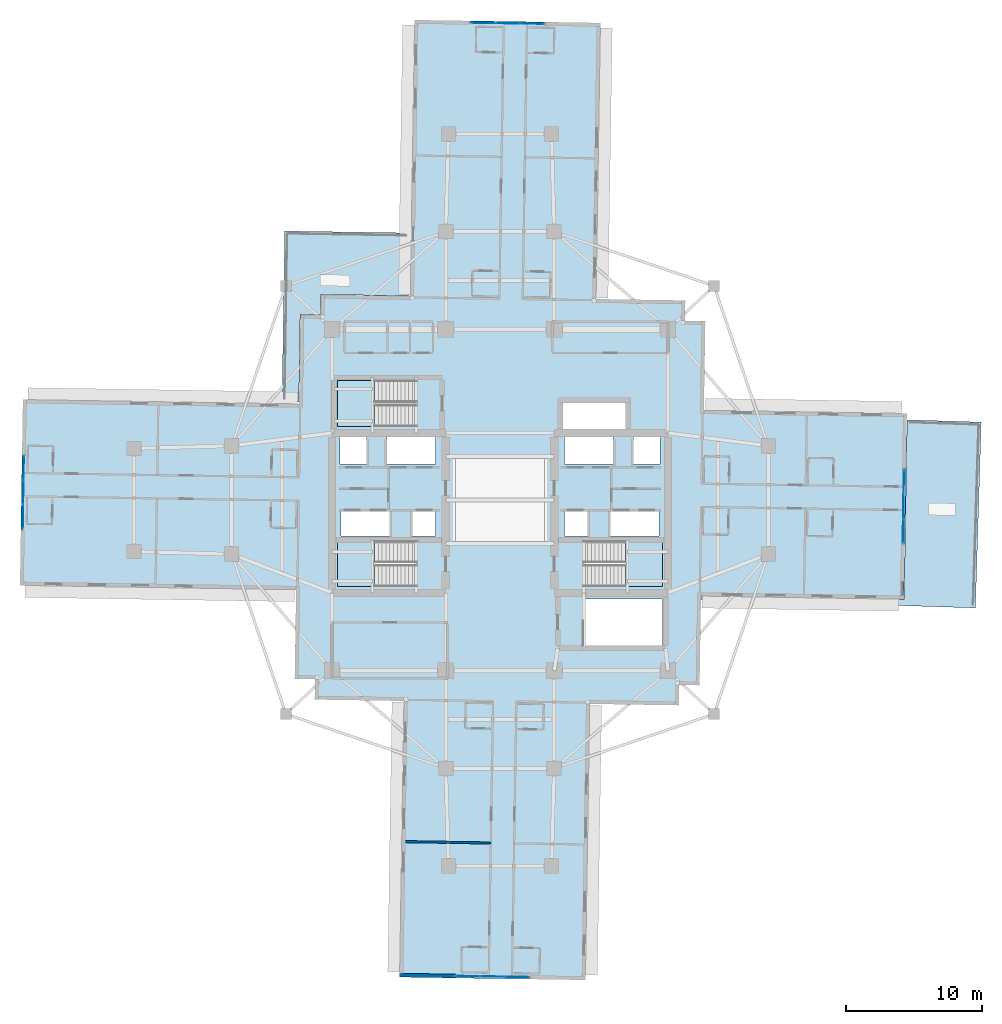
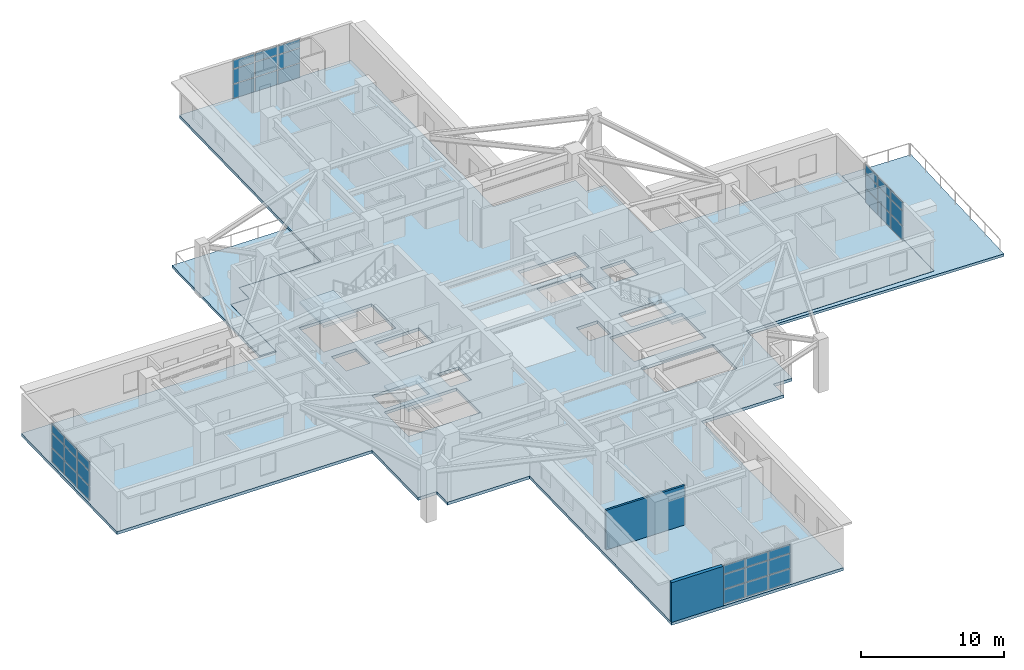
# One storey, part 10 of 22: 36 plates, 6 slabs, 2 walls, 7 elements without a shape of their own.
"""IFC4 building model written with IfcOpenShell, lengths in metres."""

from ifc_helpers import new_model, si_unit, direction, frame, frame_2d, origin, origin_2d, place, context, subcontext, project, spatial, polyline, rectangle, outline, extrude, material, layer, layer_set, type_object, element, aggregate, save


model = new_model("IFC4")

# Units and contexts
model_context = context("Model", 3, precision=1e-05, world=origin(), true_north=direction((0.0, 1.0)))
body_context = subcontext(model_context, "Body", "Model", "MODEL_VIEW")
ifc_project = project(units=[si_unit("LENGTHUNIT", "METRE"), si_unit("AREAUNIT", "SQUARE_METRE"), si_unit("VOLUMEUNIT", "CUBIC_METRE"), si_unit("PLANEANGLEUNIT", "RADIAN"), si_unit("MASSUNIT", "GRAM", prefix="KILO")], contexts=[model_context])

# Site, building, storey
site_placement = place(None, origin())
site = spatial("IfcSite", under=ifc_project, at=site_placement, CompositionType="ELEMENT")
building_placement = place(site_placement, origin())
building = spatial("IfcBuilding", under=site, at=building_placement, Name="Qingluan Cross Belvedere", CompositionType="ELEMENT")
storey_placement = place(building_placement, frame((0.0, 0.0, 100.199951171875)))
storey = spatial("IfcBuildingStorey", under=building, at=storey_placement, Name="L25", CompositionType="ELEMENT", Elevation=100.199951171875)

# Curtain wall, plates
ifc_material_1 = material(Name="Thermally broken aluminium and Low-E glass", Category="aluminium")
ifc_layer_1 = layer(ifc_material_1, 0.199951171875, Name="UnitisedCW_SkyLobbyLow")
ifc_layer_set_1 = layer_set([ifc_layer_1], Name="Thermally broken aluminium and Low-E glass")
curtain_wall_type = type_object("IfcCurtainWallType", Name="UnitisedCW_SkyLobbyLow", PredefinedType="USERDEFINED", material=ifc_layer_set_1)
curtain_wall_1_placement = place(storey_placement, origin())
curtain_wall_1 = element("IfcCurtainWall", 1, at=curtain_wall_1_placement, inside=storey, type_object=curtain_wall_type, Name="UnitisedCW_SkyLobbyLow run env:cw:L25:E", ObjectType="UNITISED CURTAIN WALL", PredefinedType="USERDEFINED")
ifc_material_2 = material(Name="Triple-silver Low-E insulated glass", Category="glass")
ifc_layer_2 = layer(ifc_material_2, 0.035888671875, Name="CWVisionPanel_36")
ifc_layer_set_2 = layer_set([ifc_layer_2], Name="Triple-silver Low-E insulated glass")
plate_type = type_object("IfcPlateType", Name="CWVisionPanel_36", PredefinedType="CURTAIN_PANEL", material=ifc_layer_set_2)
plate_1_placement = place(storey_placement, frame((29.747802734375, -2.28173828125, 0.06005859375), z_axis=(0.0, 0.0, 1.0), x_axis=(0.015688845697, 0.999876922486, 0.0)))
plate_1 = element("IfcPlate", 2, at=plate_1_placement, type_object=plate_type, Name="CW-S1 panel 1.1", PredefinedType="CURTAIN_PANEL", context=body_context, shape_type="SweptSolid", body=[
    extrude(rectangle(XDim=1.7392578125, YDim=0.028076171875, at=origin_2d()), origin(), (0.0, 0.0, 1.0), 1.194091796875),
])
plate_2_placement = place(storey_placement, frame((29.747802734375, -2.28173828125, 1.31396484375), z_axis=(0.0, 0.0, 1.0), x_axis=(0.015688845697, 0.999876922486, 0.0)))
plate_2 = element("IfcPlate", 3, at=plate_2_placement, type_object=plate_type, Name="CW-S1 panel 1.2", PredefinedType="CURTAIN_PANEL", context=body_context, shape_type="SweptSolid", body=[
    extrude(rectangle(XDim=1.7392578125, YDim=0.028076171875, at=origin_2d()), origin(), (0.0, 0.0, 1.0), 1.22509765625),
])
plate_3_placement = place(storey_placement, frame((29.747802734375, -2.28173828125, 2.59912109375), z_axis=(0.0, 0.0, 1.0), x_axis=(0.015688845697, 0.999876922486, 0.0)))
plate_3 = element("IfcPlate", 4, at=plate_3_placement, type_object=plate_type, Name="CW-S1 panel 1.3", PredefinedType="CURTAIN_PANEL", context=body_context, shape_type="SweptSolid", body=[
    extrude(rectangle(XDim=1.7392578125, YDim=0.028076171875, at=origin_2d()), origin(), (0.0, 0.0, 1.0), 0.720947265625),
])
plate_4_placement = place(storey_placement, frame((29.7763671875, -0.4677734375, 0.06005859375), z_axis=(0.0, 0.0, 1.0), x_axis=(0.015688845697, 0.999876922486, 0.0)))
plate_4 = element("IfcPlate", 5, at=plate_4_placement, type_object=plate_type, Name="CW-S1 panel 2.1", PredefinedType="CURTAIN_PANEL", context=body_context, shape_type="SweptSolid", body=[
    extrude(rectangle(XDim=1.769287109375, YDim=0.028076171875, at=origin_2d()), origin(), (0.0, 0.0, 1.0), 1.194091796875),
])
plate_5_placement = place(storey_placement, frame((29.7763671875, -0.4677734375, 1.31396484375), z_axis=(0.0, 0.0, 1.0), x_axis=(0.015688845697, 0.999876922486, 0.0)))
plate_5 = element("IfcPlate", 6, at=plate_5_placement, type_object=plate_type, Name="CW-S1 panel 2.2", PredefinedType="CURTAIN_PANEL", context=body_context, shape_type="SweptSolid", body=[
    extrude(rectangle(XDim=1.769287109375, YDim=0.028076171875, at=origin_2d()), origin(), (0.0, 0.0, 1.0), 1.22509765625),
])
plate_6_placement = place(storey_placement, frame((29.7763671875, -0.4677734375, 2.59912109375), z_axis=(0.0, 0.0, 1.0), x_axis=(0.015688845697, 0.999876922486, 0.0)))
plate_6 = element("IfcPlate", 7, at=plate_6_placement, type_object=plate_type, Name="CW-S1 panel 2.3", PredefinedType="CURTAIN_PANEL", context=body_context, shape_type="SweptSolid", body=[
    extrude(rectangle(XDim=1.769287109375, YDim=0.028076171875, at=origin_2d()), origin(), (0.0, 0.0, 1.0), 0.720947265625),
])
plate_7_placement = place(storey_placement, frame((29.804931640625, 1.346435546875, 0.06005859375), z_axis=(0.0, 0.0, 1.0), x_axis=(0.015688845697, 0.999876922486, 0.0)))
plate_7 = element("IfcPlate", 8, at=plate_7_placement, type_object=plate_type, Name="CW-S1 panel 3.1", PredefinedType="CURTAIN_PANEL", context=body_context, shape_type="SweptSolid", body=[
    extrude(rectangle(XDim=1.7392578125, YDim=0.028076171875, at=origin_2d()), origin(), (0.0, 0.0, 1.0), 1.194091796875),
])
plate_8_placement = place(storey_placement, frame((29.804931640625, 1.346435546875, 1.31396484375), z_axis=(0.0, 0.0, 1.0), x_axis=(0.015688845697, 0.999876922486, 0.0)))
plate_8 = element("IfcPlate", 9, at=plate_8_placement, type_object=plate_type, Name="CW-S1 panel 3.2", PredefinedType="CURTAIN_PANEL", context=body_context, shape_type="SweptSolid", body=[
    extrude(rectangle(XDim=1.7392578125, YDim=0.028076171875, at=origin_2d()), origin(), (0.0, 0.0, 1.0), 1.22509765625),
])
plate_9_placement = place(storey_placement, frame((29.804931640625, 1.346435546875, 2.59912109375), z_axis=(0.0, 0.0, 1.0), x_axis=(0.015688845697, 0.999876922486, 0.0)))
plate_9 = element("IfcPlate", 10, at=plate_9_placement, type_object=plate_type, Name="CW-S1 panel 3.3", PredefinedType="CURTAIN_PANEL", context=body_context, shape_type="SweptSolid", body=[
    extrude(rectangle(XDim=1.7392578125, YDim=0.028076171875, at=origin_2d()), origin(), (0.0, 0.0, 1.0), 0.720947265625),
])
aggregate(curtain_wall_1, [plate_1, plate_2, plate_3, plate_4, plate_5, plate_6, plate_7, plate_8, plate_9])

curtain_wall_2_placement = place(storey_placement, origin())
curtain_wall_2 = element("IfcCurtainWall", 11, at=curtain_wall_2_placement, inside=storey, type_object=curtain_wall_type, Name="UnitisedCW_SkyLobbyLow run env:cw:L25:N", ObjectType="UNITISED CURTAIN WALL", PredefinedType="USERDEFINED")
plate_10_placement = place(storey_placement, frame((2.36669921875, 35.147216796875, 0.06005859375), z_axis=(0.0, 0.0, 1.0), x_axis=(-0.999876636479, 0.015707062874, 0.0)))
plate_10 = element("IfcPlate", 12, at=plate_10_placement, type_object=plate_type, Name="CW-S1 panel 1.1", PredefinedType="CURTAIN_PANEL", context=body_context, shape_type="SweptSolid", body=[
    extrude(rectangle(XDim=1.7392578125, YDim=0.028076171875, at=origin_2d()), origin(), (0.0, 0.0, 1.0), 1.194091796875),
])
plate_11_placement = place(storey_placement, frame((2.36669921875, 35.147216796875, 1.31396484375), z_axis=(0.0, 0.0, 1.0), x_axis=(-0.999876636479, 0.015707062874, 0.0)))
plate_11 = element("IfcPlate", 13, at=plate_11_placement, type_object=plate_type, Name="CW-S1 panel 1.2", PredefinedType="CURTAIN_PANEL", context=body_context, shape_type="SweptSolid", body=[
    extrude(rectangle(XDim=1.7392578125, YDim=0.028076171875, at=origin_2d()), origin(), (0.0, 0.0, 1.0), 1.22509765625),
])
plate_12_placement = place(storey_placement, frame((2.36669921875, 35.147216796875, 2.59912109375), z_axis=(0.0, 0.0, 1.0), x_axis=(-0.999876636479, 0.015707062874, 0.0)))
plate_12 = element("IfcPlate", 14, at=plate_12_placement, type_object=plate_type, Name="CW-S1 panel 1.3", PredefinedType="CURTAIN_PANEL", context=body_context, shape_type="SweptSolid", body=[
    extrude(rectangle(XDim=1.7392578125, YDim=0.028076171875, at=origin_2d()), origin(), (0.0, 0.0, 1.0), 0.720947265625),
])
plate_13_placement = place(storey_placement, frame((0.552490234375, 35.17578125, 0.06005859375), z_axis=(0.0, 0.0, 1.0), x_axis=(-0.999876636479, 0.015707062874, 0.0)))
plate_13 = element("IfcPlate", 15, at=plate_13_placement, type_object=plate_type, Name="CW-S1 panel 2.1", PredefinedType="CURTAIN_PANEL", context=body_context, shape_type="SweptSolid", body=[
    extrude(rectangle(XDim=1.769287109375, YDim=0.028076171875, at=origin_2d()), origin(), (0.0, 0.0, 1.0), 1.194091796875),
])
plate_14_placement = place(storey_placement, frame((0.552490234375, 35.17578125, 1.31396484375), z_axis=(0.0, 0.0, 1.0), x_axis=(-0.999876636479, 0.015707062874, 0.0)))
plate_14 = element("IfcPlate", 16, at=plate_14_placement, type_object=plate_type, Name="CW-S1 panel 2.2", PredefinedType="CURTAIN_PANEL", context=body_context, shape_type="SweptSolid", body=[
    extrude(rectangle(XDim=1.769287109375, YDim=0.028076171875, at=origin_2d()), origin(), (0.0, 0.0, 1.0), 1.22509765625),
])
plate_15_placement = place(storey_placement, frame((0.552490234375, 35.17578125, 2.59912109375), z_axis=(0.0, 0.0, 1.0), x_axis=(-0.999876636479, 0.015707062874, 0.0)))
plate_15 = element("IfcPlate", 17, at=plate_15_placement, type_object=plate_type, Name="CW-S1 panel 2.3", PredefinedType="CURTAIN_PANEL", context=body_context, shape_type="SweptSolid", body=[
    extrude(rectangle(XDim=1.769287109375, YDim=0.028076171875, at=origin_2d()), origin(), (0.0, 0.0, 1.0), 0.720947265625),
])
plate_16_placement = place(storey_placement, frame((-1.261474609375, 35.2041015625, 0.06005859375), z_axis=(0.0, 0.0, 1.0), x_axis=(-0.999876636479, 0.015707062874, 0.0)))
plate_16 = element("IfcPlate", 18, at=plate_16_placement, type_object=plate_type, Name="CW-S1 panel 3.1", PredefinedType="CURTAIN_PANEL", context=body_context, shape_type="SweptSolid", body=[
    extrude(rectangle(XDim=1.7392578125, YDim=0.028076171875, at=origin_2d()), origin(), (0.0, 0.0, 1.0), 1.194091796875),
])
plate_17_placement = place(storey_placement, frame((-1.261474609375, 35.2041015625, 1.31396484375), z_axis=(0.0, 0.0, 1.0), x_axis=(-0.999876636479, 0.015707062874, 0.0)))
plate_17 = element("IfcPlate", 19, at=plate_17_placement, type_object=plate_type, Name="CW-S1 panel 3.2", PredefinedType="CURTAIN_PANEL", context=body_context, shape_type="SweptSolid", body=[
    extrude(rectangle(XDim=1.7392578125, YDim=0.028076171875, at=origin_2d()), origin(), (0.0, 0.0, 1.0), 1.22509765625),
])
plate_18_placement = place(storey_placement, frame((-1.261474609375, 35.2041015625, 2.59912109375), z_axis=(0.0, 0.0, 1.0), x_axis=(-0.999876636479, 0.015707062874, 0.0)))
plate_18 = element("IfcPlate", 20, at=plate_18_placement, type_object=plate_type, Name="CW-S1 panel 3.3", PredefinedType="CURTAIN_PANEL", context=body_context, shape_type="SweptSolid", body=[
    extrude(rectangle(XDim=1.7392578125, YDim=0.028076171875, at=origin_2d()), origin(), (0.0, 0.0, 1.0), 0.720947265625),
])
aggregate(curtain_wall_2, [plate_10, plate_11, plate_12, plate_13, plate_14, plate_15, plate_16, plate_17, plate_18])

curtain_wall_3_placement = place(storey_placement, origin())
curtain_wall_3 = element("IfcCurtainWall", 21, at=curtain_wall_3_placement, inside=storey, type_object=curtain_wall_type, Name="UnitisedCW_SkyLobbyLow run env:cw:L25:W", ObjectType="UNITISED CURTAIN WALL", PredefinedType="USERDEFINED")
plate_19_placement = place(storey_placement, frame((-35.147216796875, 2.36669921875, 0.06005859375), z_axis=(0.0, 0.0, 1.0), x_axis=(-0.015707062874, -0.999876636479, 0.0)))
plate_19 = element("IfcPlate", 22, at=plate_19_placement, type_object=plate_type, Name="CW-S1 panel 1.1", PredefinedType="CURTAIN_PANEL", context=body_context, shape_type="SweptSolid", body=[
    extrude(rectangle(XDim=1.7392578125, YDim=0.028076171875, at=origin_2d()), origin(), (0.0, 0.0, 1.0), 1.194091796875),
])
plate_20_placement = place(storey_placement, frame((-35.147216796875, 2.36669921875, 1.31396484375), z_axis=(0.0, 0.0, 1.0), x_axis=(-0.015707062874, -0.999876636479, 0.0)))
plate_20 = element("IfcPlate", 23, at=plate_20_placement, type_object=plate_type, Name="CW-S1 panel 1.2", PredefinedType="CURTAIN_PANEL", context=body_context, shape_type="SweptSolid", body=[
    extrude(rectangle(XDim=1.7392578125, YDim=0.028076171875, at=origin_2d()), origin(), (0.0, 0.0, 1.0), 1.22509765625),
])
plate_21_placement = place(storey_placement, frame((-35.147216796875, 2.36669921875, 2.59912109375), z_axis=(0.0, 0.0, 1.0), x_axis=(-0.015707062874, -0.999876636479, 0.0)))
plate_21 = element("IfcPlate", 24, at=plate_21_placement, type_object=plate_type, Name="CW-S1 panel 1.3", PredefinedType="CURTAIN_PANEL", context=body_context, shape_type="SweptSolid", body=[
    extrude(rectangle(XDim=1.7392578125, YDim=0.028076171875, at=origin_2d()), origin(), (0.0, 0.0, 1.0), 0.720947265625),
])
plate_22_placement = place(storey_placement, frame((-35.17578125, 0.552490234375, 0.06005859375), z_axis=(0.0, 0.0, 1.0), x_axis=(-0.015707062874, -0.999876636479, 0.0)))
plate_22 = element("IfcPlate", 25, at=plate_22_placement, type_object=plate_type, Name="CW-S1 panel 2.1", PredefinedType="CURTAIN_PANEL", context=body_context, shape_type="SweptSolid", body=[
    extrude(rectangle(XDim=1.769287109375, YDim=0.028076171875, at=origin_2d()), origin(), (0.0, 0.0, 1.0), 1.194091796875),
])
plate_23_placement = place(storey_placement, frame((-35.17578125, 0.552490234375, 1.31396484375), z_axis=(0.0, 0.0, 1.0), x_axis=(-0.015707062874, -0.999876636479, 0.0)))
plate_23 = element("IfcPlate", 26, at=plate_23_placement, type_object=plate_type, Name="CW-S1 panel 2.2", PredefinedType="CURTAIN_PANEL", context=body_context, shape_type="SweptSolid", body=[
    extrude(rectangle(XDim=1.769287109375, YDim=0.028076171875, at=origin_2d()), origin(), (0.0, 0.0, 1.0), 1.22509765625),
])
plate_24_placement = place(storey_placement, frame((-35.17578125, 0.552490234375, 2.59912109375), z_axis=(0.0, 0.0, 1.0), x_axis=(-0.015707062874, -0.999876636479, 0.0)))
plate_24 = element("IfcPlate", 27, at=plate_24_placement, type_object=plate_type, Name="CW-S1 panel 2.3", PredefinedType="CURTAIN_PANEL", context=body_context, shape_type="SweptSolid", body=[
    extrude(rectangle(XDim=1.769287109375, YDim=0.028076171875, at=origin_2d()), origin(), (0.0, 0.0, 1.0), 0.720947265625),
])
plate_25_placement = place(storey_placement, frame((-35.2041015625, -1.261474609375, 0.06005859375), z_axis=(0.0, 0.0, 1.0), x_axis=(-0.015707062874, -0.999876636479, 0.0)))
plate_25 = element("IfcPlate", 28, at=plate_25_placement, type_object=plate_type, Name="CW-S1 panel 3.1", PredefinedType="CURTAIN_PANEL", context=body_context, shape_type="SweptSolid", body=[
    extrude(rectangle(XDim=1.7392578125, YDim=0.028076171875, at=origin_2d()), origin(), (0.0, 0.0, 1.0), 1.194091796875),
])
plate_26_placement = place(storey_placement, frame((-35.2041015625, -1.261474609375, 1.31396484375), z_axis=(0.0, 0.0, 1.0), x_axis=(-0.015707062874, -0.999876636479, 0.0)))
plate_26 = element("IfcPlate", 29, at=plate_26_placement, type_object=plate_type, Name="CW-S1 panel 3.2", PredefinedType="CURTAIN_PANEL", context=body_context, shape_type="SweptSolid", body=[
    extrude(rectangle(XDim=1.7392578125, YDim=0.028076171875, at=origin_2d()), origin(), (0.0, 0.0, 1.0), 1.22509765625),
])
plate_27_placement = place(storey_placement, frame((-35.2041015625, -1.261474609375, 2.59912109375), z_axis=(0.0, 0.0, 1.0), x_axis=(-0.015707062874, -0.999876636479, 0.0)))
plate_27 = element("IfcPlate", 30, at=plate_27_placement, type_object=plate_type, Name="CW-S1 panel 3.3", PredefinedType="CURTAIN_PANEL", context=body_context, shape_type="SweptSolid", body=[
    extrude(rectangle(XDim=1.7392578125, YDim=0.028076171875, at=origin_2d()), origin(), (0.0, 0.0, 1.0), 0.720947265625),
])
aggregate(curtain_wall_3, [plate_19, plate_20, plate_21, plate_22, plate_23, plate_24, plate_25, plate_26, plate_27])

curtain_wall_4_placement = place(storey_placement, origin())
curtain_wall_4 = element("IfcCurtainWall", 31, at=curtain_wall_4_placement, inside=storey, type_object=curtain_wall_type, Name="UnitisedCW_SkyLobbyLow run env:cw:L25:S", ObjectType="UNITISED CURTAIN WALL", PredefinedType="USERDEFINED")
plate_28_placement = place(storey_placement, frame((-2.36669921875, -35.147216796875, 0.06005859375), z_axis=(0.0, 0.0, 1.0), x_axis=(0.999876636479, -0.015707062874, 0.0)))
plate_28 = element("IfcPlate", 32, at=plate_28_placement, type_object=plate_type, Name="CW-S1 panel 1.1", PredefinedType="CURTAIN_PANEL", context=body_context, shape_type="SweptSolid", body=[
    extrude(rectangle(XDim=1.7392578125, YDim=0.028076171875, at=origin_2d()), origin(), (0.0, 0.0, 1.0), 1.194091796875),
])
plate_29_placement = place(storey_placement, frame((-2.36669921875, -35.147216796875, 1.31396484375), z_axis=(0.0, 0.0, 1.0), x_axis=(0.999876636479, -0.015707062874, 0.0)))
plate_29 = element("IfcPlate", 33, at=plate_29_placement, type_object=plate_type, Name="CW-S1 panel 1.2", PredefinedType="CURTAIN_PANEL", context=body_context, shape_type="SweptSolid", body=[
    extrude(rectangle(XDim=1.7392578125, YDim=0.028076171875, at=origin_2d()), origin(), (0.0, 0.0, 1.0), 1.22509765625),
])
plate_30_placement = place(storey_placement, frame((-2.36669921875, -35.147216796875, 2.59912109375), z_axis=(0.0, 0.0, 1.0), x_axis=(0.999876636479, -0.015707062874, 0.0)))
plate_30 = element("IfcPlate", 34, at=plate_30_placement, type_object=plate_type, Name="CW-S1 panel 1.3", PredefinedType="CURTAIN_PANEL", context=body_context, shape_type="SweptSolid", body=[
    extrude(rectangle(XDim=1.7392578125, YDim=0.028076171875, at=origin_2d()), origin(), (0.0, 0.0, 1.0), 0.720947265625),
])
plate_31_placement = place(storey_placement, frame((-0.552490234375, -35.17578125, 0.06005859375), z_axis=(0.0, 0.0, 1.0), x_axis=(0.999876636479, -0.015707062874, 0.0)))
plate_31 = element("IfcPlate", 35, at=plate_31_placement, type_object=plate_type, Name="CW-S1 panel 2.1", PredefinedType="CURTAIN_PANEL", context=body_context, shape_type="SweptSolid", body=[
    extrude(rectangle(XDim=1.769287109375, YDim=0.028076171875, at=origin_2d()), origin(), (0.0, 0.0, 1.0), 1.194091796875),
])
plate_32_placement = place(storey_placement, frame((-0.552490234375, -35.17578125, 1.31396484375), z_axis=(0.0, 0.0, 1.0), x_axis=(0.999876636479, -0.015707062874, 0.0)))
plate_32 = element("IfcPlate", 36, at=plate_32_placement, type_object=plate_type, Name="CW-S1 panel 2.2", PredefinedType="CURTAIN_PANEL", context=body_context, shape_type="SweptSolid", body=[
    extrude(rectangle(XDim=1.769287109375, YDim=0.028076171875, at=origin_2d()), origin(), (0.0, 0.0, 1.0), 1.22509765625),
])
plate_33_placement = place(storey_placement, frame((-0.552490234375, -35.17578125, 2.59912109375), z_axis=(0.0, 0.0, 1.0), x_axis=(0.999876636479, -0.015707062874, 0.0)))
plate_33 = element("IfcPlate", 37, at=plate_33_placement, type_object=plate_type, Name="CW-S1 panel 2.3", PredefinedType="CURTAIN_PANEL", context=body_context, shape_type="SweptSolid", body=[
    extrude(rectangle(XDim=1.769287109375, YDim=0.028076171875, at=origin_2d()), origin(), (0.0, 0.0, 1.0), 0.720947265625),
])
plate_34_placement = place(storey_placement, frame((1.261474609375, -35.2041015625, 0.06005859375), z_axis=(0.0, 0.0, 1.0), x_axis=(0.999876636479, -0.015707062874, 0.0)))
plate_34 = element("IfcPlate", 38, at=plate_34_placement, type_object=plate_type, Name="CW-S1 panel 3.1", PredefinedType="CURTAIN_PANEL", context=body_context, shape_type="SweptSolid", body=[
    extrude(rectangle(XDim=1.7392578125, YDim=0.028076171875, at=origin_2d()), origin(), (0.0, 0.0, 1.0), 1.194091796875),
])
plate_35_placement = place(storey_placement, frame((1.261474609375, -35.2041015625, 1.31396484375), z_axis=(0.0, 0.0, 1.0), x_axis=(0.999876636479, -0.015707062874, 0.0)))
plate_35 = element("IfcPlate", 39, at=plate_35_placement, type_object=plate_type, Name="CW-S1 panel 3.2", PredefinedType="CURTAIN_PANEL", context=body_context, shape_type="SweptSolid", body=[
    extrude(rectangle(XDim=1.7392578125, YDim=0.028076171875, at=origin_2d()), origin(), (0.0, 0.0, 1.0), 1.22509765625),
])
plate_36_placement = place(storey_placement, frame((1.261474609375, -35.2041015625, 2.59912109375), z_axis=(0.0, 0.0, 1.0), x_axis=(0.999876636479, -0.015707062874, 0.0)))
plate_36 = element("IfcPlate", 40, at=plate_36_placement, type_object=plate_type, Name="CW-S1 panel 3.3", PredefinedType="CURTAIN_PANEL", context=body_context, shape_type="SweptSolid", body=[
    extrude(rectangle(XDim=1.7392578125, YDim=0.028076171875, at=origin_2d()), origin(), (0.0, 0.0, 1.0), 0.720947265625),
])
aggregate(curtain_wall_4, [plate_28, plate_29, plate_30, plate_31, plate_32, plate_33, plate_34, plate_35, plate_36])

# Slab
ifc_material_3 = material(Name="Concrete C40", Category="concrete")
ifc_layer_3 = layer(ifc_material_3, 0.25, Name="FloorSlab_250")
ifc_layer_set_3 = layer_set([ifc_layer_3], Name="Concrete C40")
slab_type_1 = type_object("IfcSlabType", Name="FloorSlab_250", PredefinedType="FLOOR", material=ifc_layer_set_3)
slab_1_placement = place(storey_placement, frame((0.0, 0.0, -0.25)))
element("IfcSlab", 41, at=slab_1_placement, inside=storey, type_object=slab_type_1, Name="Structural floor slab L25", PredefinedType="FLOOR", context=body_context, shape_type="SweptSolid", body=[
    extrude(outline(polyline([(6.304443359375, -35.42333984375), (6.62451171875, -15.0458984375), (13.20361328125, -15.1494140625), (13.227294921875, -13.6494140625), (14.72705078125, -13.673095703125), (14.830322265625, -7.09375), (29.80859375, -7.3291015625), (30.024169921875, 6.38916015625), (15.0458984375, 6.62451171875), (15.1494140625, 13.20361328125), (13.6494140625, 13.227294921875), (13.673095703125, 14.72705078125), (7.09375, 14.830322265625), (7.413818359375, 35.2080078125), (-6.304443359375, 35.42333984375), (-6.62451171875, 15.0458984375), (-13.20361328125, 15.1494140625), (-13.227294921875, 13.6494140625), (-14.72705078125, 13.673095703125), (-14.830322265625, 7.09375), (-35.2080078125, 7.413818359375), (-35.42333984375, -6.304443359375), (-15.0458984375, -6.62451171875), (-15.1494140625, -13.20361328125), (-13.6494140625, -13.227294921875), (-13.673095703125, -14.72705078125), (-7.09375, -14.830322265625), (-7.413818359375, -35.2080078125), (6.304443359375, -35.42333984375)]), holes=[polyline([(-12.0, -3.0), (-6.179931640625, -3.0), (-6.179931640625, -6.39990234375), (-12.0, -6.39990234375), (-12.0, -3.0)]), polyline([(6.179931640625, -3.0), (12.0, -3.0), (12.0, -6.39990234375), (6.179931640625, -6.39990234375), (6.179931640625, -3.0)]), polyline([(-12.0, 8.820068359375), (-6.179931640625, 8.820068359375), (-6.179931640625, 5.419921875), (-12.0, 5.419921875), (-12.0, 8.820068359375)]), polyline([(6.179931640625, -7.320068359375), (12.0, -7.320068359375), (12.0, -10.719970703125), (6.179931640625, -10.719970703125), (6.179931640625, -7.320068359375)]), polyline([(-11.800048828125, 4.64990234375), (-9.85009765625, 4.64990234375), (-9.85009765625, 2.64990234375), (-11.800048828125, 2.64990234375), (-11.800048828125, 4.64990234375)]), polyline([(-8.35009765625, 4.64990234375), (-4.75, 4.64990234375), (-4.75, 2.64990234375), (-8.35009765625, 2.64990234375), (-8.35009765625, 4.64990234375)]), polyline([(4.75, 4.64990234375), (8.35009765625, 4.64990234375), (8.35009765625, 2.64990234375), (4.75, 2.64990234375), (4.75, 4.64990234375)]), polyline([(9.85009765625, 4.64990234375), (11.800048828125, 4.64990234375), (11.800048828125, 2.64990234375), (9.85009765625, 2.64990234375), (9.85009765625, 4.64990234375)]), polyline([(-11.75, -0.840087890625), (-8.14990234375, -0.840087890625), (-8.14990234375, -2.659912109375), (-11.75, -2.659912109375), (-11.75, -0.840087890625)]), polyline([(-6.449951171875, -0.840087890625), (-4.75, -0.840087890625), (-4.75, -2.659912109375), (-6.449951171875, -2.659912109375), (-6.449951171875, -0.840087890625)]), polyline([(4.75, -0.840087890625), (6.449951171875, -0.840087890625), (6.449951171875, -2.659912109375), (4.75, -2.659912109375), (4.75, -0.840087890625)]), polyline([(8.14990234375, -0.840087890625), (11.75, -0.840087890625), (11.75, -2.659912109375), (8.14990234375, -2.659912109375), (8.14990234375, -0.840087890625)]), polyline([(4.64990234375, 7.14990234375), (9.25, 7.14990234375), (9.25, 5.14990234375), (4.64990234375, 5.14990234375), (4.64990234375, 7.14990234375)])]), origin(), (0.0, 0.0, 1.0), 0.25),
])

# Stair, slab
ifc_material_4 = material(Name="Concrete C40", Category="concrete")
stair_type = type_object("IfcStairType", Name="CoreDoglegStair_1620", PredefinedType="HALF_TURN_STAIR", material=ifc_material_4)
stair_1_placement = place(storey_placement, origin())
stair_1 = element("IfcStair", 42, at=stair_1_placement, inside=storey, type_object=stair_type, Name="L25 ST1", PredefinedType="HALF_TURN_STAIR")
ifc_material_5 = material(Name="Concrete C40", Category="concrete")
ifc_layer_4 = layer(ifc_material_5, 0.179931640625, Name="StairLandingSlab_180")
ifc_layer_set_4 = layer_set([ifc_layer_4], Name="Concrete C40")
slab_type_2 = type_object("IfcSlabType", Name="StairLandingSlab_180", PredefinedType="LANDING", material=ifc_layer_set_4)
slab_2_placement = place(storey_placement, frame((0.0, 0.0, 2.050048828125)))
slab_2 = element("IfcSlab", 43, at=slab_2_placement, type_object=slab_type_2, Name="ST1 landing 1", PredefinedType="LANDING", context=body_context, shape_type="SweptSolid", body=[
    extrude(outline(polyline([(-9.260009765625, -3.0), (-12.0, -3.0), (-12.0, -6.39990234375), (-9.260009765625, -6.39990234375), (-9.260009765625, -3.0)])), origin(), (0.0, 0.0, 1.0), 0.199951171875),
])
aggregate(stair_1, [slab_2])

stair_2_placement = place(storey_placement, origin())
stair_2 = element("IfcStair", 44, at=stair_2_placement, inside=storey, type_object=stair_type, Name="L25 ST2", PredefinedType="HALF_TURN_STAIR")
slab_3_placement = place(storey_placement, frame((0.0, 0.0, 2.050048828125)))
slab_3 = element("IfcSlab", 45, at=slab_3_placement, type_object=slab_type_2, Name="ST2 landing 1", PredefinedType="LANDING", context=body_context, shape_type="SweptSolid", body=[
    extrude(outline(polyline([(9.260009765625, -6.39990234375), (12.0, -6.39990234375), (12.0, -3.0), (9.260009765625, -3.0), (9.260009765625, -6.39990234375)])), origin(), (0.0, 0.0, 1.0), 0.199951171875),
])
aggregate(stair_2, [slab_3])

stair_3_placement = place(storey_placement, origin())
stair_3 = element("IfcStair", 46, at=stair_3_placement, inside=storey, type_object=stair_type, Name="L25 ST3", PredefinedType="HALF_TURN_STAIR")
slab_4_placement = place(storey_placement, frame((0.0, 0.0, 2.050048828125)))
slab_4 = element("IfcSlab", 47, at=slab_4_placement, type_object=slab_type_2, Name="ST3 landing 1", PredefinedType="LANDING", context=body_context, shape_type="SweptSolid", body=[
    extrude(outline(polyline([(-9.260009765625, 8.820068359375), (-12.0, 8.820068359375), (-12.0, 5.419921875), (-9.260009765625, 5.419921875), (-9.260009765625, 8.820068359375)])), origin(), (0.0, 0.0, 1.0), 0.199951171875),
])
aggregate(stair_3, [slab_4])

# Slabs
ifc_material_6 = material(Name="Concrete C40", Category="concrete")
ifc_layer_5 = layer(ifc_material_6, 0.219970703125, Name="TerraceSlab_220")
ifc_layer_set_5 = layer_set([ifc_layer_5], Name="Concrete C40")
slab_type_3 = type_object("IfcSlabType", Name="TerraceSlab_220", PredefinedType="FLOOR", material=ifc_layer_set_5)
slab_5_placement = place(storey_placement, frame((0.0, 0.0, -0.219970703125)))
element("IfcSlab", 48, at=slab_5_placement, inside=storey, type_object=slab_type_3, Name="Stepped setback terrace L25-1", PredefinedType="FLOOR", context=body_context, shape_type="SweptSolid", body=[
    extrude(outline(polyline([(35.51806640625, 5.747314453125), (30.03662109375, 5.91943359375), (29.8193359375, -7.345947265625), (14.85009765625, -7.114013671875), (14.8466796875, -7.330078125), (35.087158203125, -7.966064453125), (35.51806640625, 5.747314453125)])), origin(), (0.0, 0.0, 1.0), 0.219970703125),
])
slab_6_placement = place(storey_placement, frame((0.0, 0.0, -0.219970703125)))
element("IfcSlab", 49, at=slab_6_placement, inside=storey, type_object=slab_type_3, Name="Spiralling winter-garden terrace slab L25", PredefinedType="FLOOR", context=body_context, shape_type="SweptSolid", body=[
    extrude(outline(polyline([(-14.838134765625, 7.23388671875), (-14.7353515625, 13.6787109375), (-13.237060546875, 13.65966796875), (-13.213623046875, 15.1494140625), (-13.20556640625, 15.1591796875), (-6.764404296875, 15.05810546875), (-6.69140625, 19.70751953125), (-15.89013671875, 19.85205078125), (-16.088134765625, 7.253662109375), (-14.838134765625, 7.23388671875)])), origin(), (0.0, 0.0, 1.0), 0.219970703125),
])

# Walls
ifc_material_7 = material(Name="Gypsum plasterboard on steel stud acoustic partition", Category="steel")
ifc_layer_6 = layer(ifc_material_7, 0.159912109375, Name="CorridorPartition_160")
ifc_layer_set_6 = layer_set([ifc_layer_6], Name="Gypsum plasterboard on steel stud acoustic partition")
wall_type_1 = type_object("IfcWallType", Name="CorridorPartition_160", PredefinedType="PARTITIONING", material=ifc_layer_set_6)
wall_1_placement = place(storey_placement, frame((-0.677734375, -25.3125, 0.0), z_axis=(0.0, 0.0, 1.0), x_axis=(-0.999876517768, 0.01571461794, 0.0)))
element("IfcWall", 50, at=wall_1_placement, inside=storey, type_object=wall_type_1, Name="Partition L25:S:d1_0", PredefinedType="PARTITIONING", context=body_context, shape_type="SweptSolid", body=[
    extrude(rectangle(XDim=6.2919921875, YDim=0.159912109375, at=frame_2d((3.14599609375, 0.0))), origin(), (0.0, 0.0, 1.0), 3.3701171875),
])
ifc_material_8 = material(Name="Precast concrete C45", Category="concrete")
ifc_layer_7 = layer(ifc_material_8, 0.280029296875, Name="PrecastFacadeWall_280")
ifc_layer_set_7 = layer_set([ifc_layer_7], Name="Precast concrete C45")
wall_type_2 = type_object("IfcWallType", Name="PrecastFacadeWall_280", PredefinedType="STANDARD", material=ifc_layer_set_7)
wall_2_placement = place(storey_placement, frame((-7.41162109375, -35.06787109375, 0.0), z_axis=(0.0, 0.0, 1.0), x_axis=(0.999876456275, -0.015718530042, 0.0)))
element("IfcWall", 51, at=wall_2_placement, inside=storey, type_object=wall_type_2, Name="Terrace portal jamb wall L25-S1", PredefinedType="STANDARD", context=body_context, shape_type="SweptSolid", body=[
    extrude(rectangle(XDim=4.115966796875, YDim=0.280029296875, at=frame_2d((2.05810546875, 0.0))), origin(), (0.0, 0.0, 1.0), 3.380126953125),
])

save(model, "model.ifc")
